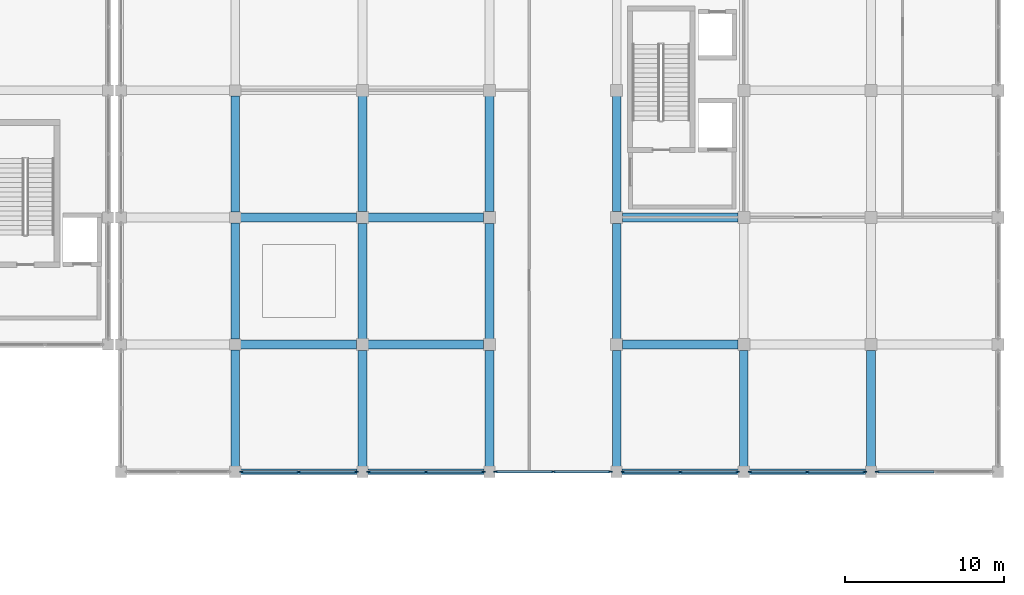
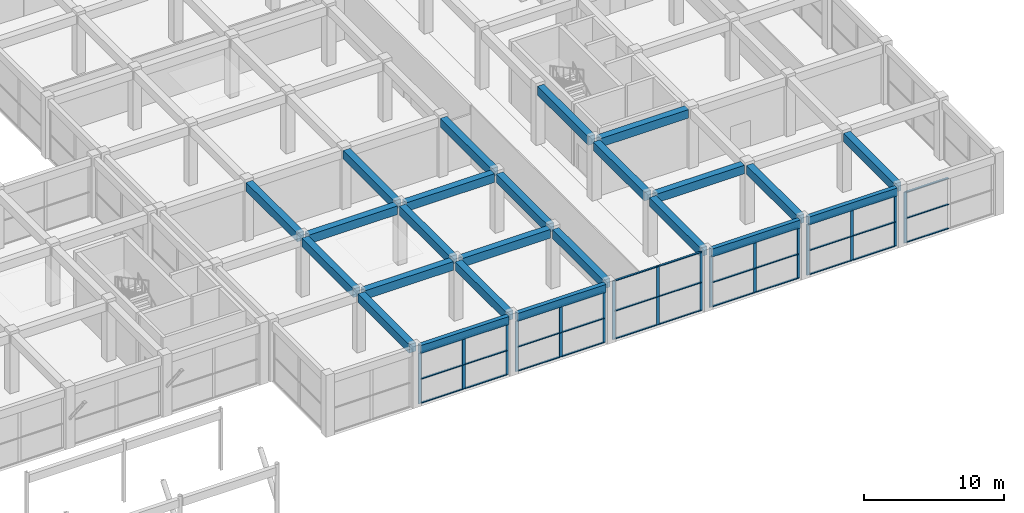
# One storey, part 33 of 69: 49 members, 24 beams, 6 elements without a shape of their own.
"""IFC4 building model written with IfcOpenShell, lengths in metres."""

import ifcopenshell
import ifcopenshell.guid

model = None  # the IFC model being written
_history = None  # IfcOwnerHistory: only IFC2X3 demands one
_inside = {}  # id of a spatial element -> (the spatial element, [elements in it])
_under = {}  # id of a project, library or spatial element -> (it, [spatial elements below it])
_declared = {}  # id of a project -> (the project, [libraries it declares])
_typed = {}  # id of a type object -> (the type object, [elements of that type])
_made_of = {}  # id of a material, layer set ... -> (it, [elements and type objects made of it])


def new_model(schema):
    """Start an empty IFC model of exactly this schema.

    Asked for "IFC4X3", IfcOpenShell would pick the latest addendum, in which some entities
    have other attributes; the version numbers below select the first issue.
    IFC2X3 requires an IfcOwnerHistory on every rooted entity: one is made here for all.
    """
    global model, _history
    if schema == "IFC4X3":
        model = ifcopenshell.file(schema_version=(4, 3, 0, 0))
    else:
        model = ifcopenshell.file(schema=schema)
    _inside.clear()
    _under.clear()
    _declared.clear()
    _typed.clear()
    _made_of.clear()
    _history = None
    if model.schema == "IFC2X3":
        org = make("IfcOrganization", Name="unknown")
        user = make(
            "IfcPersonAndOrganization",
            ThePerson=make("IfcPerson", FamilyName="unknown"),
            TheOrganization=org,
        )
        app = make(
            "IfcApplication",
            ApplicationDeveloper=org,
            Version="unknown",
            ApplicationFullName="unknown",
            ApplicationIdentifier="unknown",
        )
        _history = make(
            "IfcOwnerHistory",
            OwningUser=user,
            OwningApplication=app,
            ChangeAction="ADDED",
            CreationDate=0,
        )
    return model


def make(cls, **values):
    """One entity of the class cls with the attributes given. An attribute that is None is left unset."""
    return model.create_entity(
        cls, **{name: value for name, value in values.items() if value is not None}
    )


def rooted(cls, **values):
    """An entity with a GlobalId (a new one), such as an element, a storey or a relation."""
    return make(cls, GlobalId=ifcopenshell.guid.new(), OwnerHistory=_history, **values)


def si_unit(unit_type, name, prefix=None):
    """IfcSIUnit, for example si_unit("LENGTHUNIT", "METRE", prefix="MILLI")."""
    return make("IfcSIUnit", UnitType=unit_type, Prefix=prefix, Name=name)


def assignment(units):
    """IfcUnitAssignment: the units of a project."""
    return None if units is None else make("IfcUnitAssignment", Units=units)


def point(xyz):
    """IfcCartesianPoint."""
    return None if xyz is None else make("IfcCartesianPoint", Coordinates=xyz)


def direction(xyz):
    """IfcDirection."""
    return None if xyz is None else make("IfcDirection", DirectionRatios=xyz)


def frame(location, z_axis=None, x_axis=None):
    """IfcAxis2Placement3D, a coordinate frame: its origin and axes. An axis left out is left unset."""
    return make(
        "IfcAxis2Placement3D",
        Location=point(location),
        Axis=direction(z_axis),
        RefDirection=direction(x_axis),
    )


def frame_2d(location, x_axis=None):
    """IfcAxis2Placement2D, a coordinate frame in the plane: its origin and x axis."""
    return make(
        "IfcAxis2Placement2D", Location=point(location), RefDirection=direction(x_axis)
    )


def origin():
    """The frame at (0, 0, 0) with its axes left unset."""
    return frame((0.0, 0.0, 0.0))


def origin_2d():
    """The frame at (0, 0) in the plane with its x axis left unset."""
    return frame_2d((0.0, 0.0))


def place(relative_to, where):
    """IfcLocalPlacement: puts the frame where relative to a parent placement (None: the world)."""
    return make(
        "IfcLocalPlacement", PlacementRelTo=relative_to, RelativePlacement=where
    )


def context(
    kind, dimensions, precision=None, world=None, true_north=None, identifier=None
):
    """IfcGeometricRepresentationContext, for example the 3D "Model" context."""
    return make(
        "IfcGeometricRepresentationContext",
        ContextIdentifier=identifier,
        ContextType=kind,
        CoordinateSpaceDimension=dimensions,
        Precision=precision,
        WorldCoordinateSystem=world,
        TrueNorth=true_north,
    )


def subcontext(parent, identifier, kind, view, scale=None):
    """IfcGeometricRepresentationSubContext, for example "Body" below "Model"."""
    return make(
        "IfcGeometricRepresentationSubContext",
        ContextIdentifier=identifier,
        ContextType=kind,
        ParentContext=parent,
        TargetScale=scale,
        TargetView=view,
    )


def project(units=None, contexts=None):
    """IfcProject with its units and contexts."""
    return rooted(
        "IfcProject",
        Name="project",
        RepresentationContexts=contexts,
        UnitsInContext=assignment(units),
    )


def spatial(cls, under=None, at=None, **own):
    """A site, building, storey or space (cls), placed at a placement, below another one or the project."""
    s = rooted(cls, ObjectPlacement=at, **own)
    if under is not None:
        _under.setdefault(under.id(), (under, []))[1].append(s)
    return s


def profile(cls, at=None, kind="AREA", **sizes):
    """A parametric profile (cls). Its sizes go by their IFC names, for example OverallWidth=200.0."""
    return make(cls, ProfileType=kind, Position=at, **sizes)


def rectangle(**sizes):
    """IfcRectangleProfileDef."""
    return profile("IfcRectangleProfileDef", **sizes)


def extrude(swept, where, along, depth):
    """IfcExtrudedAreaSolid: the profile swept, set in the frame where, extruded along a direction by depth."""
    return make(
        "IfcExtrudedAreaSolid",
        SweptArea=swept,
        Position=where,
        ExtrudedDirection=direction(along),
        Depth=depth,
    )


def shape(context_of_items, identifier, shape_type, items):
    """IfcShapeRepresentation: the items that make up one representation, for example the "Body"."""
    return make(
        "IfcShapeRepresentation",
        ContextOfItems=context_of_items,
        RepresentationIdentifier=identifier,
        RepresentationType=shape_type,
        Items=items,
    )


def material(Name=None, Category=None):
    """IfcMaterial."""
    return make("IfcMaterial", Name=Name, Category=Category)


def material_profile(
    of_material, cross_section, Name=None, Category=None, Priority=None
):
    """IfcMaterialProfile: a cross section and its material."""
    return make(
        "IfcMaterialProfile",
        Name=Name,
        Material=of_material,
        Profile=cross_section,
        Priority=Priority,
        Category=Category,
    )


def profile_set(profiles, Name=None, composite=None):
    """IfcMaterialProfileSet."""
    return make(
        "IfcMaterialProfileSet",
        Name=Name,
        MaterialProfiles=profiles,
        CompositeProfile=composite,
    )


def made_of(thing, what):
    """Note that an element or type object is made of a material, layer set ...; save() writes the relation."""
    if what is not None:
        _made_of.setdefault(what.id(), (what, []))[1].append(thing)
    return thing


def type_object(cls, material=None, **own):
    """A type object (cls), such as IfcWallType, which elements share."""
    return made_of(rooted(cls, **own), material)


def element(
    cls,
    number,
    at=None,
    inside=None,
    cuts=None,
    type_object=None,
    material=None,
    context=None,
    identifier="Body",
    shape_type=None,
    held_by="IfcProductDefinitionShape",
    body=None,
    shapes=None,
    **own,
):
    """One element of the class cls, such as IfcWall. Its Tag is "e" and its number.

    at: its placement. inside: the storey or other place that contains it. cuts: it is an
    opening in that element (IfcRelVoidsElement). A single representation is given by context,
    identifier, shape_type and body (its items); several are given by shapes. held_by: the class
    of the entity that holds the representations. save() writes the other relations.
    """
    e = rooted(cls, Tag="e%d" % number, ObjectPlacement=at, **own)
    if body is not None:
        shapes = [shape(context, identifier, shape_type, body)]
    if shapes is not None:
        e.Representation = make(held_by, Representations=shapes)
    if inside is not None:
        _inside.setdefault(inside.id(), (inside, []))[1].append(e)
    if cuts is not None:
        rooted(
            "IfcRelVoidsElement", RelatingBuildingElement=cuts, RelatedOpeningElement=e
        )
    if type_object is not None:
        _typed.setdefault(type_object.id(), (type_object, []))[1].append(e)
    return made_of(e, material)


def aggregate(whole, parts):
    """IfcRelAggregates: a whole, such as a stair, and the parts it consists of."""
    return rooted("IfcRelAggregates", RelatingObject=whole, RelatedObjects=parts)


def save(model, path):
    """Write the relations noted so far, then the file.

    IfcRelAggregates (storeys below a building ...), IfcRelContainedInSpatialStructure (elements
    in a storey), IfcRelDefinesByType, IfcRelAssociatesMaterial and IfcRelDeclares: one each for
    every whole, place, type object, material and project.
    """
    for whole, parts in _under.values():
        aggregate(whole, parts)
    for where, things in _inside.values():
        rooted(
            "IfcRelContainedInSpatialStructure",
            RelatedElements=things,
            RelatingStructure=where,
        )
    for kind, things in _typed.values():
        rooted("IfcRelDefinesByType", RelatedObjects=things, RelatingType=kind)
    for what, things in _made_of.values():
        rooted("IfcRelAssociatesMaterial", RelatedObjects=things, RelatingMaterial=what)
    for by, libraries in _declared.values():
        rooted("IfcRelDeclares", RelatingContext=by, RelatedDefinitions=libraries)
    model.write(path)


model = new_model("IFC4")

# Units and contexts
model_context = context("Model", 3, precision=1e-05, world=origin(), true_north=direction((0.0, 1.0)))
body_context = subcontext(model_context, "Body", "Model", "MODEL_VIEW")
ifc_project = project(units=[si_unit("LENGTHUNIT", "METRE"), si_unit("AREAUNIT", "SQUARE_METRE"), si_unit("VOLUMEUNIT", "CUBIC_METRE"), si_unit("PLANEANGLEUNIT", "RADIAN"), si_unit("MASSUNIT", "GRAM", prefix="KILO")], contexts=[model_context])

# Site, building, storey
site_placement = place(None, origin())
site = spatial("IfcSite", under=ifc_project, at=site_placement, CompositionType="ELEMENT")
building_placement = place(site_placement, origin())
building = spatial("IfcBuilding", under=site, at=building_placement, Name="Kenh Van Central Station", CompositionType="ELEMENT")
storey_placement = place(building_placement, frame((0.0, 0.0, 5.39990234375)))
storey = spatial("IfcBuildingStorey", under=building, at=storey_placement, Name="L01", CompositionType="ELEMENT", Elevation=5.39990234375)

# Beams
ifc_material_1 = material(Name="Concrete C35/45", Category="concrete")
ifc_material_profile_1 = material_profile(ifc_material_1, rectangle(XDim=0.550048828125, YDim=0.75, at=origin_2d()), Name="RC 550x750")
ifc_profile_set_1 = profile_set([ifc_material_profile_1], Name="Concrete C35/45")
beam_type_1 = type_object("IfcBeamType", Name="BM-RC-550x750", PredefinedType="BEAM", material=ifc_profile_set_1)
beam_1_placement = place(storey_placement, frame((128.340087890625, 16.0, 4.76513671875), z_axis=(1.0, 0.0, 0.0), x_axis=(0.0, 1.0, 0.0)))
element("IfcBeam", 1, at=beam_1_placement, inside=storey, type_object=beam_type_1, Name="L01 beam 0651", PredefinedType="BEAM", context=body_context, shape_type="SweptSolid", body=[
    extrude(rectangle(XDim=0.550048828125, YDim=0.75, at=origin_2d()), origin(), (0.0, 0.0, 1.0), 7.294921875),
])
for number, where, z_axis, x_axis, name in (
    (2, (136.364990234375, 16.0, 4.76513671875), (1.0, 0.0, 0.0), (0.0, 1.0, 0.0), "L01 beam 0652"),
    (3, (152.364990234375, 16.0, 4.76513671875), (1.0, 0.0, 0.0), (0.0, 1.0, 0.0), "L01 beam 0653"),
):
    element("IfcBeam", number, at=place(storey_placement, frame(where, z_axis=z_axis, x_axis=x_axis)), inside=storey, type_object=beam_type_1, Name=name, PredefinedType="BEAM", context=body_context, shape_type="SweptSolid", body=[
        extrude(rectangle(XDim=0.550048828125, YDim=0.75, at=origin_2d()), origin(), (0.0, 0.0, 1.0), 7.27001953125),
    ])
beam_2_placement = place(storey_placement, frame((128.340087890625, 24.0, 4.76513671875), z_axis=(1.0, 0.0, 0.0), x_axis=(0.0, 1.0, 0.0)))
element("IfcBeam", 4, at=beam_2_placement, inside=storey, type_object=beam_type_1, Name="L01 beam 0666", PredefinedType="BEAM", context=body_context, shape_type="SweptSolid", body=[
    extrude(rectangle(XDim=0.550048828125, YDim=0.75, at=origin_2d()), origin(), (0.0, 0.0, 1.0), 7.294921875),
])
for number, where, z_axis, x_axis, name in (
    (5, (136.364990234375, 24.0, 4.76513671875), (1.0, 0.0, 0.0), (0.0, 1.0, 0.0), "L01 beam 0667"),
    (6, (152.364990234375, 24.0, 4.76513671875), (1.0, 0.0, 0.0), (0.0, 1.0, 0.0), "L01 beam 0668"),
):
    element("IfcBeam", number, at=place(storey_placement, frame(where, z_axis=z_axis, x_axis=x_axis)), inside=storey, type_object=beam_type_1, Name=name, PredefinedType="BEAM", context=body_context, shape_type="SweptSolid", body=[
        extrude(rectangle(XDim=0.550048828125, YDim=0.75, at=origin_2d()), origin(), (0.0, 0.0, 1.0), 7.27001953125),
    ])
for number, where, z_axis, x_axis, name in (
    (7, (128.0, 8.340087890625, 4.76513671875), (0.0, 1.0, 0.0), (-1.0, 0.0, 0.0), "L01 beam 0848"),
    (8, (128.0, 16.340087890625, 4.76513671875), (0.0, 1.0, 0.0), (-1.0, 0.0, 0.0), "L01 beam 0849"),
    (9, (128.0, 24.340087890625, 4.76513671875), (0.0, 1.0, 0.0), (-1.0, 0.0, 0.0), "L01 beam 0850"),
):
    element("IfcBeam", number, at=place(storey_placement, frame(where, z_axis=z_axis, x_axis=x_axis)), inside=storey, type_object=beam_type_1, Name=name, PredefinedType="BEAM", context=body_context, shape_type="SweptSolid", body=[
        extrude(rectangle(XDim=0.550048828125, YDim=0.75, at=origin_2d()), origin(), (0.0, 0.0, 1.0), 7.31982421875),
    ])
beam_3_placement = place(storey_placement, frame((136.0, 8.340087890625, 4.76513671875), z_axis=(0.0, 1.0, 0.0), x_axis=(-1.0, 0.0, 0.0)))
element("IfcBeam", 10, at=beam_3_placement, inside=storey, type_object=beam_type_1, Name="L01 beam 0855", PredefinedType="BEAM", context=body_context, shape_type="SweptSolid", body=[
    extrude(rectangle(XDim=0.550048828125, YDim=0.75, at=origin_2d()), origin(), (0.0, 0.0, 1.0), 7.294921875),
])
for number, where, z_axis, x_axis, name in (
    (11, (136.0, 16.364990234375, 4.76513671875), (0.0, 1.0, 0.0), (-1.0, 0.0, 0.0), "L01 beam 0856"),
    (12, (136.0, 24.364990234375, 4.76513671875), (0.0, 1.0, 0.0), (-1.0, 0.0, 0.0), "L01 beam 0857"),
):
    element("IfcBeam", number, at=place(storey_placement, frame(where, z_axis=z_axis, x_axis=x_axis)), inside=storey, type_object=beam_type_1, Name=name, PredefinedType="BEAM", context=body_context, shape_type="SweptSolid", body=[
        extrude(rectangle(XDim=0.550048828125, YDim=0.75, at=origin_2d()), origin(), (0.0, 0.0, 1.0), 7.27001953125),
    ])
beam_4_placement = place(storey_placement, frame((144.0, 8.340087890625, 4.76513671875), z_axis=(0.0, 1.0, 0.0), x_axis=(-1.0, 0.0, 0.0)))
element("IfcBeam", 13, at=beam_4_placement, inside=storey, type_object=beam_type_1, Name="L01 beam 0862", PredefinedType="BEAM", context=body_context, shape_type="SweptSolid", body=[
    extrude(rectangle(XDim=0.550048828125, YDim=0.75, at=origin_2d()), origin(), (0.0, 0.0, 1.0), 7.294921875),
])
for number, where, z_axis, x_axis, name in (
    (14, (144.0, 16.364990234375, 4.76513671875), (0.0, 1.0, 0.0), (-1.0, 0.0, 0.0), "L01 beam 0863"),
    (15, (144.0, 24.364990234375, 4.76513671875), (0.0, 1.0, 0.0), (-1.0, 0.0, 0.0), "L01 beam 0864"),
):
    element("IfcBeam", number, at=place(storey_placement, frame(where, z_axis=z_axis, x_axis=x_axis)), inside=storey, type_object=beam_type_1, Name=name, PredefinedType="BEAM", context=body_context, shape_type="SweptSolid", body=[
        extrude(rectangle(XDim=0.550048828125, YDim=0.75, at=origin_2d()), origin(), (0.0, 0.0, 1.0), 7.27001953125),
    ])
beam_5_placement = place(storey_placement, frame((152.0, 8.340087890625, 4.76513671875), z_axis=(0.0, 1.0, 0.0), x_axis=(-1.0, 0.0, 0.0)))
element("IfcBeam", 16, at=beam_5_placement, inside=storey, type_object=beam_type_1, Name="L01 beam 0872", PredefinedType="BEAM", context=body_context, shape_type="SweptSolid", body=[
    extrude(rectangle(XDim=0.550048828125, YDim=0.75, at=origin_2d()), origin(), (0.0, 0.0, 1.0), 7.294921875),
])
for number, where, z_axis, x_axis, name in (
    (17, (152.0, 16.364990234375, 4.76513671875), (0.0, 1.0, 0.0), (-1.0, 0.0, 0.0), "L01 beam 0873"),
    (18, (152.0, 24.364990234375, 4.76513671875), (0.0, 1.0, 0.0), (-1.0, 0.0, 0.0), "L01 beam 0874"),
):
    element("IfcBeam", number, at=place(storey_placement, frame(where, z_axis=z_axis, x_axis=x_axis)), inside=storey, type_object=beam_type_1, Name=name, PredefinedType="BEAM", context=body_context, shape_type="SweptSolid", body=[
        extrude(rectangle(XDim=0.550048828125, YDim=0.75, at=origin_2d()), origin(), (0.0, 0.0, 1.0), 7.27001953125),
    ])
for number, where, z_axis, x_axis, name in (
    (19, (160.0, 8.340087890625, 4.76513671875), (0.0, 1.0, 0.0), (-1.0, 0.0, 0.0), "L01 beam 0882"),
    (20, (168.0, 8.340087890625, 4.76513671875), (0.0, 1.0, 0.0), (-1.0, 0.0, 0.0), "L01 beam 0892"),
):
    element("IfcBeam", number, at=place(storey_placement, frame(where, z_axis=z_axis, x_axis=x_axis)), inside=storey, type_object=beam_type_1, Name=name, PredefinedType="BEAM", context=body_context, shape_type="SweptSolid", body=[
        extrude(rectangle(XDim=0.550048828125, YDim=0.75, at=origin_2d()), origin(), (0.0, 0.0, 1.0), 7.294921875),
    ])

# Curtain wall, members
ifc_material_2 = material(Name="Champagne anodised aluminium", Category="aluminium")
curtain_wall_type = type_object("IfcCurtainWallType", Name="CW-OPER-A", PredefinedType="NOTDEFINED", material=ifc_material_2)
curtain_wall_1_placement = place(storey_placement, origin())
curtain_wall_1 = element("IfcCurtainWall", 21, at=curtain_wall_1_placement, inside=storey, type_object=curtain_wall_type, Name="L01 curtain wall 131", PredefinedType="NOTDEFINED")
ifc_material_profile_2 = material_profile(ifc_material_2, rectangle(XDim=0.087890625, YDim=0.239990234375, at=origin_2d()), Name="AL 88x240")
ifc_profile_set_2 = profile_set([ifc_material_profile_2], Name="Champagne anodised aluminium")
member_type_1 = type_object("IfcMemberType", Name="CWM-60x140", PredefinedType="MULLION", material=ifc_profile_set_2)
member_1_placement = place(storey_placement, frame((128.39404296875, 8.0, 0.0), z_axis=(0.0, 0.0, 1.0), x_axis=(0.0, 1.0, 0.0)))
member_1 = element("IfcMember", 22, at=member_1_placement, type_object=member_type_1, Name="CW-07 mullion 1", PredefinedType="MULLION", context=body_context, shape_type="SweptSolid", body=[
    extrude(rectangle(XDim=0.087890625, YDim=0.239990234375, at=origin_2d()), origin(), (0.0, 0.0, 1.0), 4.440185546875),
])
member_2_placement = place(storey_placement, frame((132.0, 8.0, 0.0), z_axis=(0.0, 0.0, 1.0), x_axis=(0.0, 1.0, 0.0)))
member_2 = element("IfcMember", 23, at=member_2_placement, type_object=member_type_1, Name="CW-07 mullion 2", PredefinedType="MULLION", context=body_context, shape_type="SweptSolid", body=[
    extrude(rectangle(XDim=0.087890625, YDim=0.239990234375, at=origin_2d()), origin(), (0.0, 0.0, 1.0), 4.440185546875),
])
member_3_placement = place(storey_placement, frame((135.60595703125, 8.0, 0.0), z_axis=(0.0, 0.0, 1.0), x_axis=(0.0, 1.0, 0.0)))
member_3 = element("IfcMember", 24, at=member_3_placement, type_object=member_type_1, Name="CW-07 mullion 3", PredefinedType="MULLION", context=body_context, shape_type="SweptSolid", body=[
    extrude(rectangle(XDim=0.087890625, YDim=0.239990234375, at=origin_2d()), origin(), (0.0, 0.0, 1.0), 4.440185546875),
])

curtain_wall_2_placement = place(storey_placement, origin())
curtain_wall_2 = element("IfcCurtainWall", 25, at=curtain_wall_2_placement, inside=storey, type_object=curtain_wall_type, Name="L01 curtain wall 132", PredefinedType="NOTDEFINED")
member_4_placement = place(storey_placement, frame((136.39404296875, 8.0, 0.0), z_axis=(0.0, 0.0, 1.0), x_axis=(0.0, 1.0, 0.0)))
member_4 = element("IfcMember", 26, at=member_4_placement, type_object=member_type_1, Name="CW-07 mullion 1", PredefinedType="MULLION", context=body_context, shape_type="SweptSolid", body=[
    extrude(rectangle(XDim=0.087890625, YDim=0.239990234375, at=origin_2d()), origin(), (0.0, 0.0, 1.0), 4.440185546875),
])
member_5_placement = place(storey_placement, frame((140.0, 8.0, 0.0), z_axis=(0.0, 0.0, 1.0), x_axis=(0.0, 1.0, 0.0)))
member_5 = element("IfcMember", 27, at=member_5_placement, type_object=member_type_1, Name="CW-07 mullion 2", PredefinedType="MULLION", context=body_context, shape_type="SweptSolid", body=[
    extrude(rectangle(XDim=0.087890625, YDim=0.239990234375, at=origin_2d()), origin(), (0.0, 0.0, 1.0), 4.440185546875),
])
member_6_placement = place(storey_placement, frame((143.60595703125, 8.0, 0.0), z_axis=(0.0, 0.0, 1.0), x_axis=(0.0, 1.0, 0.0)))
member_6 = element("IfcMember", 28, at=member_6_placement, type_object=member_type_1, Name="CW-07 mullion 3", PredefinedType="MULLION", context=body_context, shape_type="SweptSolid", body=[
    extrude(rectangle(XDim=0.087890625, YDim=0.239990234375, at=origin_2d()), origin(), (0.0, 0.0, 1.0), 4.440185546875),
])

curtain_wall_3_placement = place(storey_placement, origin())
curtain_wall_3 = element("IfcCurtainWall", 29, at=curtain_wall_3_placement, inside=storey, type_object=curtain_wall_type, Name="L01 curtain wall 133", PredefinedType="NOTDEFINED")
member_7_placement = place(storey_placement, frame((144.39404296875, 8.0, 0.0), z_axis=(0.0, 0.0, 1.0), x_axis=(0.0, 1.0, 0.0)))
member_7 = element("IfcMember", 30, at=member_7_placement, type_object=member_type_1, Name="CW-07 mullion 1", PredefinedType="MULLION", context=body_context, shape_type="SweptSolid", body=[
    extrude(rectangle(XDim=0.087890625, YDim=0.239990234375, at=origin_2d()), origin(), (0.0, 0.0, 1.0), 5.1201171875),
])
member_8_placement = place(storey_placement, frame((148.0, 8.0, 0.0), z_axis=(0.0, 0.0, 1.0), x_axis=(0.0, 1.0, 0.0)))
member_8 = element("IfcMember", 31, at=member_8_placement, type_object=member_type_1, Name="CW-07 mullion 2", PredefinedType="MULLION", context=body_context, shape_type="SweptSolid", body=[
    extrude(rectangle(XDim=0.087890625, YDim=0.239990234375, at=origin_2d()), origin(), (0.0, 0.0, 1.0), 5.1201171875),
])
member_9_placement = place(storey_placement, frame((151.60595703125, 8.0, 0.0), z_axis=(0.0, 0.0, 1.0), x_axis=(0.0, 1.0, 0.0)))
member_9 = element("IfcMember", 32, at=member_9_placement, type_object=member_type_1, Name="CW-07 mullion 3", PredefinedType="MULLION", context=body_context, shape_type="SweptSolid", body=[
    extrude(rectangle(XDim=0.087890625, YDim=0.239990234375, at=origin_2d()), origin(), (0.0, 0.0, 1.0), 5.1201171875),
])

curtain_wall_4_placement = place(storey_placement, origin())
curtain_wall_4 = element("IfcCurtainWall", 33, at=curtain_wall_4_placement, inside=storey, type_object=curtain_wall_type, Name="L01 curtain wall 134", PredefinedType="NOTDEFINED")
member_10_placement = place(storey_placement, frame((152.39404296875, 8.0, 0.0), z_axis=(0.0, 0.0, 1.0), x_axis=(0.0, 1.0, 0.0)))
member_10 = element("IfcMember", 34, at=member_10_placement, type_object=member_type_1, Name="CW-07 mullion 1", PredefinedType="MULLION", context=body_context, shape_type="SweptSolid", body=[
    extrude(rectangle(XDim=0.087890625, YDim=0.239990234375, at=origin_2d()), origin(), (0.0, 0.0, 1.0), 4.440185546875),
])
member_11_placement = place(storey_placement, frame((156.0, 8.0, 0.0), z_axis=(0.0, 0.0, 1.0), x_axis=(0.0, 1.0, 0.0)))
member_11 = element("IfcMember", 35, at=member_11_placement, type_object=member_type_1, Name="CW-07 mullion 2", PredefinedType="MULLION", context=body_context, shape_type="SweptSolid", body=[
    extrude(rectangle(XDim=0.087890625, YDim=0.239990234375, at=origin_2d()), origin(), (0.0, 0.0, 1.0), 4.440185546875),
])
member_12_placement = place(storey_placement, frame((159.60595703125, 8.0, 0.0), z_axis=(0.0, 0.0, 1.0), x_axis=(0.0, 1.0, 0.0)))
member_12 = element("IfcMember", 36, at=member_12_placement, type_object=member_type_1, Name="CW-07 mullion 3", PredefinedType="MULLION", context=body_context, shape_type="SweptSolid", body=[
    extrude(rectangle(XDim=0.087890625, YDim=0.239990234375, at=origin_2d()), origin(), (0.0, 0.0, 1.0), 4.440185546875),
])

curtain_wall_5_placement = place(storey_placement, origin())
curtain_wall_5 = element("IfcCurtainWall", 37, at=curtain_wall_5_placement, inside=storey, type_object=curtain_wall_type, Name="L01 curtain wall 135", PredefinedType="NOTDEFINED")
member_13_placement = place(storey_placement, frame((160.39404296875, 8.0, 0.0), z_axis=(0.0, 0.0, 1.0), x_axis=(0.0, 1.0, 0.0)))
member_13 = element("IfcMember", 38, at=member_13_placement, type_object=member_type_1, Name="CW-07 mullion 1", PredefinedType="MULLION", context=body_context, shape_type="SweptSolid", body=[
    extrude(rectangle(XDim=0.087890625, YDim=0.239990234375, at=origin_2d()), origin(), (0.0, 0.0, 1.0), 4.440185546875),
])
member_14_placement = place(storey_placement, frame((164.0, 8.0, 0.0), z_axis=(0.0, 0.0, 1.0), x_axis=(0.0, 1.0, 0.0)))
member_14 = element("IfcMember", 39, at=member_14_placement, type_object=member_type_1, Name="CW-07 mullion 2", PredefinedType="MULLION", context=body_context, shape_type="SweptSolid", body=[
    extrude(rectangle(XDim=0.087890625, YDim=0.239990234375, at=origin_2d()), origin(), (0.0, 0.0, 1.0), 4.440185546875),
])
member_15_placement = place(storey_placement, frame((167.60595703125, 8.0, 0.0), z_axis=(0.0, 0.0, 1.0), x_axis=(0.0, 1.0, 0.0)))
member_15 = element("IfcMember", 40, at=member_15_placement, type_object=member_type_1, Name="CW-07 mullion 3", PredefinedType="MULLION", context=body_context, shape_type="SweptSolid", body=[
    extrude(rectangle(XDim=0.087890625, YDim=0.239990234375, at=origin_2d()), origin(), (0.0, 0.0, 1.0), 4.440185546875),
])

# Curtain wall, member
curtain_wall_6_placement = place(storey_placement, origin())
curtain_wall_6 = element("IfcCurtainWall", 41, at=curtain_wall_6_placement, inside=storey, type_object=curtain_wall_type, Name="L01 curtain wall 136", PredefinedType="NOTDEFINED")
member_16_placement = place(storey_placement, frame((168.39404296875, 8.0, 0.0), z_axis=(0.0, 0.0, 1.0), x_axis=(0.0, 1.0, 0.0)))
member_16 = element("IfcMember", 42, at=member_16_placement, type_object=member_type_1, Name="CW-07 mullion 1", PredefinedType="MULLION", context=body_context, shape_type="SweptSolid", body=[
    extrude(rectangle(XDim=0.087890625, YDim=0.239990234375, at=origin_2d()), origin(), (0.0, 0.0, 1.0), 4.440185546875),
])

# Member
ifc_material_profile_3 = material_profile(ifc_material_2, rectangle(XDim=0.155029296875, YDim=0.072021484375, at=origin_2d()), Name="AL 155x72")
ifc_profile_set_3 = profile_set([ifc_material_profile_3], Name="Champagne anodised aluminium")
member_type_2 = type_object("IfcMemberType", Name="CWT-120x60", PredefinedType="USERDEFINED", material=ifc_profile_set_3)
member_17_placement = place(storey_placement, frame((128.43798828125, 8.0, 0.0361328125), z_axis=(1.0, 0.0, 0.0), x_axis=(0.0, 1.0, 0.0)))
member_17 = element("IfcMember", 43, at=member_17_placement, type_object=member_type_2, Name="CW-07 transom 1.1", ObjectType="TRANSOM", PredefinedType="USERDEFINED", context=body_context, shape_type="SweptSolid", body=[
    extrude(rectangle(XDim=0.155029296875, YDim=0.072021484375, at=origin_2d()), origin(), (0.0, 0.0, 1.0), 3.51806640625),
])

member_18_placement = place(storey_placement, frame((128.43798828125, 8.0, 2.13134765625), z_axis=(1.0, 0.0, 0.0), x_axis=(0.0, 1.0, 0.0)))
member_18 = element("IfcMember", 44, at=member_18_placement, type_object=member_type_2, Name="CW-07 transom 1.2", ObjectType="TRANSOM", PredefinedType="USERDEFINED", context=body_context, shape_type="SweptSolid", body=[
    extrude(rectangle(XDim=0.155029296875, YDim=0.072021484375, at=origin_2d()), origin(), (0.0, 0.0, 1.0), 3.51806640625),
])

member_19_placement = place(storey_placement, frame((128.43798828125, 8.0, 4.404052734375), z_axis=(1.0, 0.0, 0.0), x_axis=(0.0, 1.0, 0.0)))
member_19 = element("IfcMember", 45, at=member_19_placement, type_object=member_type_2, Name="CW-07 transom 1.3", ObjectType="TRANSOM", PredefinedType="USERDEFINED", context=body_context, shape_type="SweptSolid", body=[
    extrude(rectangle(XDim=0.155029296875, YDim=0.072021484375, at=origin_2d()), origin(), (0.0, 0.0, 1.0), 3.51806640625),
])

member_20_placement = place(storey_placement, frame((132.0439453125, 8.0, 0.0361328125), z_axis=(1.0, 0.0, 0.0), x_axis=(0.0, 1.0, 0.0)))
member_20 = element("IfcMember", 46, at=member_20_placement, type_object=member_type_2, Name="CW-07 transom 2.1", ObjectType="TRANSOM", PredefinedType="USERDEFINED", context=body_context, shape_type="SweptSolid", body=[
    extrude(rectangle(XDim=0.155029296875, YDim=0.072021484375, at=origin_2d()), origin(), (0.0, 0.0, 1.0), 3.51806640625),
])

member_21_placement = place(storey_placement, frame((132.0439453125, 8.0, 2.13134765625), z_axis=(1.0, 0.0, 0.0), x_axis=(0.0, 1.0, 0.0)))
member_21 = element("IfcMember", 47, at=member_21_placement, type_object=member_type_2, Name="CW-07 transom 2.2", ObjectType="TRANSOM", PredefinedType="USERDEFINED", context=body_context, shape_type="SweptSolid", body=[
    extrude(rectangle(XDim=0.155029296875, YDim=0.072021484375, at=origin_2d()), origin(), (0.0, 0.0, 1.0), 3.51806640625),
])

member_22_placement = place(storey_placement, frame((132.0439453125, 8.0, 4.404052734375), z_axis=(1.0, 0.0, 0.0), x_axis=(0.0, 1.0, 0.0)))
member_22 = element("IfcMember", 48, at=member_22_placement, type_object=member_type_2, Name="CW-07 transom 2.3", ObjectType="TRANSOM", PredefinedType="USERDEFINED", context=body_context, shape_type="SweptSolid", body=[
    extrude(rectangle(XDim=0.155029296875, YDim=0.072021484375, at=origin_2d()), origin(), (0.0, 0.0, 1.0), 3.51806640625),
])

aggregate(curtain_wall_1, [member_1, member_2, member_3, member_17, member_18, member_19, member_20, member_21, member_22])

member_23_placement = place(storey_placement, frame((136.43798828125, 8.0, 0.0361328125), z_axis=(1.0, 0.0, 0.0), x_axis=(0.0, 1.0, 0.0)))
member_23 = element("IfcMember", 49, at=member_23_placement, type_object=member_type_2, Name="CW-07 transom 1.1", ObjectType="TRANSOM", PredefinedType="USERDEFINED", context=body_context, shape_type="SweptSolid", body=[
    extrude(rectangle(XDim=0.155029296875, YDim=0.072021484375, at=origin_2d()), origin(), (0.0, 0.0, 1.0), 3.51806640625),
])

member_24_placement = place(storey_placement, frame((136.43798828125, 8.0, 2.13134765625), z_axis=(1.0, 0.0, 0.0), x_axis=(0.0, 1.0, 0.0)))
member_24 = element("IfcMember", 50, at=member_24_placement, type_object=member_type_2, Name="CW-07 transom 1.2", ObjectType="TRANSOM", PredefinedType="USERDEFINED", context=body_context, shape_type="SweptSolid", body=[
    extrude(rectangle(XDim=0.155029296875, YDim=0.072021484375, at=origin_2d()), origin(), (0.0, 0.0, 1.0), 3.51806640625),
])

member_25_placement = place(storey_placement, frame((136.43798828125, 8.0, 4.404052734375), z_axis=(1.0, 0.0, 0.0), x_axis=(0.0, 1.0, 0.0)))
member_25 = element("IfcMember", 51, at=member_25_placement, type_object=member_type_2, Name="CW-07 transom 1.3", ObjectType="TRANSOM", PredefinedType="USERDEFINED", context=body_context, shape_type="SweptSolid", body=[
    extrude(rectangle(XDim=0.155029296875, YDim=0.072021484375, at=origin_2d()), origin(), (0.0, 0.0, 1.0), 3.51806640625),
])

member_26_placement = place(storey_placement, frame((140.0439453125, 8.0, 0.0361328125), z_axis=(1.0, 0.0, 0.0), x_axis=(0.0, 1.0, 0.0)))
member_26 = element("IfcMember", 52, at=member_26_placement, type_object=member_type_2, Name="CW-07 transom 2.1", ObjectType="TRANSOM", PredefinedType="USERDEFINED", context=body_context, shape_type="SweptSolid", body=[
    extrude(rectangle(XDim=0.155029296875, YDim=0.072021484375, at=origin_2d()), origin(), (0.0, 0.0, 1.0), 3.51806640625),
])

member_27_placement = place(storey_placement, frame((140.0439453125, 8.0, 2.13134765625), z_axis=(1.0, 0.0, 0.0), x_axis=(0.0, 1.0, 0.0)))
member_27 = element("IfcMember", 53, at=member_27_placement, type_object=member_type_2, Name="CW-07 transom 2.2", ObjectType="TRANSOM", PredefinedType="USERDEFINED", context=body_context, shape_type="SweptSolid", body=[
    extrude(rectangle(XDim=0.155029296875, YDim=0.072021484375, at=origin_2d()), origin(), (0.0, 0.0, 1.0), 3.51806640625),
])

member_28_placement = place(storey_placement, frame((140.0439453125, 8.0, 4.404052734375), z_axis=(1.0, 0.0, 0.0), x_axis=(0.0, 1.0, 0.0)))
member_28 = element("IfcMember", 54, at=member_28_placement, type_object=member_type_2, Name="CW-07 transom 2.3", ObjectType="TRANSOM", PredefinedType="USERDEFINED", context=body_context, shape_type="SweptSolid", body=[
    extrude(rectangle(XDim=0.155029296875, YDim=0.072021484375, at=origin_2d()), origin(), (0.0, 0.0, 1.0), 3.51806640625),
])

aggregate(curtain_wall_2, [member_4, member_5, member_6, member_23, member_24, member_25, member_26, member_27, member_28])

member_29_placement = place(storey_placement, frame((144.43798828125, 8.0, 0.0361328125), z_axis=(1.0, 0.0, 0.0), x_axis=(0.0, 1.0, 0.0)))
member_29 = element("IfcMember", 55, at=member_29_placement, type_object=member_type_2, Name="CW-07 transom 1.1", ObjectType="TRANSOM", PredefinedType="USERDEFINED", context=body_context, shape_type="SweptSolid", body=[
    extrude(rectangle(XDim=0.155029296875, YDim=0.072021484375, at=origin_2d()), origin(), (0.0, 0.0, 1.0), 3.51806640625),
])

member_30_placement = place(storey_placement, frame((144.43798828125, 8.0, 2.457763671875), z_axis=(1.0, 0.0, 0.0), x_axis=(0.0, 1.0, 0.0)))
member_30 = element("IfcMember", 56, at=member_30_placement, type_object=member_type_2, Name="CW-07 transom 1.2", ObjectType="TRANSOM", PredefinedType="USERDEFINED", context=body_context, shape_type="SweptSolid", body=[
    extrude(rectangle(XDim=0.155029296875, YDim=0.072021484375, at=origin_2d()), origin(), (0.0, 0.0, 1.0), 3.51806640625),
])

member_31_placement = place(storey_placement, frame((144.43798828125, 8.0, 5.083984375), z_axis=(1.0, 0.0, 0.0), x_axis=(0.0, 1.0, 0.0)))
member_31 = element("IfcMember", 57, at=member_31_placement, type_object=member_type_2, Name="CW-07 transom 1.3", ObjectType="TRANSOM", PredefinedType="USERDEFINED", context=body_context, shape_type="SweptSolid", body=[
    extrude(rectangle(XDim=0.155029296875, YDim=0.072021484375, at=origin_2d()), origin(), (0.0, 0.0, 1.0), 3.51806640625),
])

member_32_placement = place(storey_placement, frame((148.0439453125, 8.0, 0.0361328125), z_axis=(1.0, 0.0, 0.0), x_axis=(0.0, 1.0, 0.0)))
member_32 = element("IfcMember", 58, at=member_32_placement, type_object=member_type_2, Name="CW-07 transom 2.1", ObjectType="TRANSOM", PredefinedType="USERDEFINED", context=body_context, shape_type="SweptSolid", body=[
    extrude(rectangle(XDim=0.155029296875, YDim=0.072021484375, at=origin_2d()), origin(), (0.0, 0.0, 1.0), 3.51806640625),
])

member_33_placement = place(storey_placement, frame((148.0439453125, 8.0, 2.457763671875), z_axis=(1.0, 0.0, 0.0), x_axis=(0.0, 1.0, 0.0)))
member_33 = element("IfcMember", 59, at=member_33_placement, type_object=member_type_2, Name="CW-07 transom 2.2", ObjectType="TRANSOM", PredefinedType="USERDEFINED", context=body_context, shape_type="SweptSolid", body=[
    extrude(rectangle(XDim=0.155029296875, YDim=0.072021484375, at=origin_2d()), origin(), (0.0, 0.0, 1.0), 3.51806640625),
])

member_34_placement = place(storey_placement, frame((148.0439453125, 8.0, 5.083984375), z_axis=(1.0, 0.0, 0.0), x_axis=(0.0, 1.0, 0.0)))
member_34 = element("IfcMember", 60, at=member_34_placement, type_object=member_type_2, Name="CW-07 transom 2.3", ObjectType="TRANSOM", PredefinedType="USERDEFINED", context=body_context, shape_type="SweptSolid", body=[
    extrude(rectangle(XDim=0.155029296875, YDim=0.072021484375, at=origin_2d()), origin(), (0.0, 0.0, 1.0), 3.51806640625),
])

aggregate(curtain_wall_3, [member_7, member_8, member_9, member_29, member_30, member_31, member_32, member_33, member_34])

member_35_placement = place(storey_placement, frame((152.43798828125, 8.0, 0.0361328125), z_axis=(1.0, 0.0, 0.0), x_axis=(0.0, 1.0, 0.0)))
member_35 = element("IfcMember", 61, at=member_35_placement, type_object=member_type_2, Name="CW-07 transom 1.1", ObjectType="TRANSOM", PredefinedType="USERDEFINED", context=body_context, shape_type="SweptSolid", body=[
    extrude(rectangle(XDim=0.155029296875, YDim=0.072021484375, at=origin_2d()), origin(), (0.0, 0.0, 1.0), 3.51806640625),
])

member_36_placement = place(storey_placement, frame((152.43798828125, 8.0, 2.13134765625), z_axis=(1.0, 0.0, 0.0), x_axis=(0.0, 1.0, 0.0)))
member_36 = element("IfcMember", 62, at=member_36_placement, type_object=member_type_2, Name="CW-07 transom 1.2", ObjectType="TRANSOM", PredefinedType="USERDEFINED", context=body_context, shape_type="SweptSolid", body=[
    extrude(rectangle(XDim=0.155029296875, YDim=0.072021484375, at=origin_2d()), origin(), (0.0, 0.0, 1.0), 3.51806640625),
])

member_37_placement = place(storey_placement, frame((152.43798828125, 8.0, 4.404052734375), z_axis=(1.0, 0.0, 0.0), x_axis=(0.0, 1.0, 0.0)))
member_37 = element("IfcMember", 63, at=member_37_placement, type_object=member_type_2, Name="CW-07 transom 1.3", ObjectType="TRANSOM", PredefinedType="USERDEFINED", context=body_context, shape_type="SweptSolid", body=[
    extrude(rectangle(XDim=0.155029296875, YDim=0.072021484375, at=origin_2d()), origin(), (0.0, 0.0, 1.0), 3.51806640625),
])

member_38_placement = place(storey_placement, frame((156.0439453125, 8.0, 0.0361328125), z_axis=(1.0, 0.0, 0.0), x_axis=(0.0, 1.0, 0.0)))
member_38 = element("IfcMember", 64, at=member_38_placement, type_object=member_type_2, Name="CW-07 transom 2.1", ObjectType="TRANSOM", PredefinedType="USERDEFINED", context=body_context, shape_type="SweptSolid", body=[
    extrude(rectangle(XDim=0.155029296875, YDim=0.072021484375, at=origin_2d()), origin(), (0.0, 0.0, 1.0), 3.51806640625),
])

member_39_placement = place(storey_placement, frame((156.0439453125, 8.0, 2.13134765625), z_axis=(1.0, 0.0, 0.0), x_axis=(0.0, 1.0, 0.0)))
member_39 = element("IfcMember", 65, at=member_39_placement, type_object=member_type_2, Name="CW-07 transom 2.2", ObjectType="TRANSOM", PredefinedType="USERDEFINED", context=body_context, shape_type="SweptSolid", body=[
    extrude(rectangle(XDim=0.155029296875, YDim=0.072021484375, at=origin_2d()), origin(), (0.0, 0.0, 1.0), 3.51806640625),
])

member_40_placement = place(storey_placement, frame((156.0439453125, 8.0, 4.404052734375), z_axis=(1.0, 0.0, 0.0), x_axis=(0.0, 1.0, 0.0)))
member_40 = element("IfcMember", 66, at=member_40_placement, type_object=member_type_2, Name="CW-07 transom 2.3", ObjectType="TRANSOM", PredefinedType="USERDEFINED", context=body_context, shape_type="SweptSolid", body=[
    extrude(rectangle(XDim=0.155029296875, YDim=0.072021484375, at=origin_2d()), origin(), (0.0, 0.0, 1.0), 3.51806640625),
])

aggregate(curtain_wall_4, [member_10, member_11, member_12, member_35, member_36, member_37, member_38, member_39, member_40])

member_41_placement = place(storey_placement, frame((160.43798828125, 8.0, 0.0361328125), z_axis=(1.0, 0.0, 0.0), x_axis=(0.0, 1.0, 0.0)))
member_41 = element("IfcMember", 67, at=member_41_placement, type_object=member_type_2, Name="CW-07 transom 1.1", ObjectType="TRANSOM", PredefinedType="USERDEFINED", context=body_context, shape_type="SweptSolid", body=[
    extrude(rectangle(XDim=0.155029296875, YDim=0.072021484375, at=origin_2d()), origin(), (0.0, 0.0, 1.0), 3.51806640625),
])

member_42_placement = place(storey_placement, frame((160.43798828125, 8.0, 2.13134765625), z_axis=(1.0, 0.0, 0.0), x_axis=(0.0, 1.0, 0.0)))
member_42 = element("IfcMember", 68, at=member_42_placement, type_object=member_type_2, Name="CW-07 transom 1.2", ObjectType="TRANSOM", PredefinedType="USERDEFINED", context=body_context, shape_type="SweptSolid", body=[
    extrude(rectangle(XDim=0.155029296875, YDim=0.072021484375, at=origin_2d()), origin(), (0.0, 0.0, 1.0), 3.51806640625),
])

member_43_placement = place(storey_placement, frame((160.43798828125, 8.0, 4.404052734375), z_axis=(1.0, 0.0, 0.0), x_axis=(0.0, 1.0, 0.0)))
member_43 = element("IfcMember", 69, at=member_43_placement, type_object=member_type_2, Name="CW-07 transom 1.3", ObjectType="TRANSOM", PredefinedType="USERDEFINED", context=body_context, shape_type="SweptSolid", body=[
    extrude(rectangle(XDim=0.155029296875, YDim=0.072021484375, at=origin_2d()), origin(), (0.0, 0.0, 1.0), 3.51806640625),
])

member_44_placement = place(storey_placement, frame((164.0439453125, 8.0, 0.0361328125), z_axis=(1.0, 0.0, 0.0), x_axis=(0.0, 1.0, 0.0)))
member_44 = element("IfcMember", 70, at=member_44_placement, type_object=member_type_2, Name="CW-07 transom 2.1", ObjectType="TRANSOM", PredefinedType="USERDEFINED", context=body_context, shape_type="SweptSolid", body=[
    extrude(rectangle(XDim=0.155029296875, YDim=0.072021484375, at=origin_2d()), origin(), (0.0, 0.0, 1.0), 3.51806640625),
])

member_45_placement = place(storey_placement, frame((164.0439453125, 8.0, 2.13134765625), z_axis=(1.0, 0.0, 0.0), x_axis=(0.0, 1.0, 0.0)))
member_45 = element("IfcMember", 71, at=member_45_placement, type_object=member_type_2, Name="CW-07 transom 2.2", ObjectType="TRANSOM", PredefinedType="USERDEFINED", context=body_context, shape_type="SweptSolid", body=[
    extrude(rectangle(XDim=0.155029296875, YDim=0.072021484375, at=origin_2d()), origin(), (0.0, 0.0, 1.0), 3.51806640625),
])

member_46_placement = place(storey_placement, frame((164.0439453125, 8.0, 4.404052734375), z_axis=(1.0, 0.0, 0.0), x_axis=(0.0, 1.0, 0.0)))
member_46 = element("IfcMember", 72, at=member_46_placement, type_object=member_type_2, Name="CW-07 transom 2.3", ObjectType="TRANSOM", PredefinedType="USERDEFINED", context=body_context, shape_type="SweptSolid", body=[
    extrude(rectangle(XDim=0.155029296875, YDim=0.072021484375, at=origin_2d()), origin(), (0.0, 0.0, 1.0), 3.51806640625),
])

aggregate(curtain_wall_5, [member_13, member_14, member_15, member_41, member_42, member_43, member_44, member_45, member_46])

member_47_placement = place(storey_placement, frame((168.43798828125, 8.0, 0.0361328125), z_axis=(1.0, 0.0, 0.0), x_axis=(0.0, 1.0, 0.0)))
member_47 = element("IfcMember", 73, at=member_47_placement, type_object=member_type_2, Name="CW-07 transom 1.1", ObjectType="TRANSOM", PredefinedType="USERDEFINED", context=body_context, shape_type="SweptSolid", body=[
    extrude(rectangle(XDim=0.155029296875, YDim=0.072021484375, at=origin_2d()), origin(), (0.0, 0.0, 1.0), 3.51806640625),
])

member_48_placement = place(storey_placement, frame((168.43798828125, 8.0, 2.13134765625), z_axis=(1.0, 0.0, 0.0), x_axis=(0.0, 1.0, 0.0)))
member_48 = element("IfcMember", 74, at=member_48_placement, type_object=member_type_2, Name="CW-07 transom 1.2", ObjectType="TRANSOM", PredefinedType="USERDEFINED", context=body_context, shape_type="SweptSolid", body=[
    extrude(rectangle(XDim=0.155029296875, YDim=0.072021484375, at=origin_2d()), origin(), (0.0, 0.0, 1.0), 3.51806640625),
])

member_49_placement = place(storey_placement, frame((168.43798828125, 8.0, 4.404052734375), z_axis=(1.0, 0.0, 0.0), x_axis=(0.0, 1.0, 0.0)))
member_49 = element("IfcMember", 75, at=member_49_placement, type_object=member_type_2, Name="CW-07 transom 1.3", ObjectType="TRANSOM", PredefinedType="USERDEFINED", context=body_context, shape_type="SweptSolid", body=[
    extrude(rectangle(XDim=0.155029296875, YDim=0.072021484375, at=origin_2d()), origin(), (0.0, 0.0, 1.0), 3.51806640625),
])

aggregate(curtain_wall_6, [member_16, member_47, member_48, member_49])

# Beams
ifc_material_profile_4 = material_profile(ifc_material_1, rectangle(XDim=0.35009765625, YDim=0.699951171875, at=origin_2d()), Name="RC 350x700")
ifc_profile_set_4 = profile_set([ifc_material_profile_4], Name="Concrete C35/45")
beam_type_2 = type_object("IfcBeamType", Name="SPD-RC-350x700", PredefinedType="SPANDREL", material=ifc_profile_set_4)
for number, where, z_axis, x_axis, name in (
    (76, (128.340087890625, 8.0, 4.7900390625), (1.0, 0.0, 0.0), (0.0, 1.0, 0.0), "L01 beam 0632"),
    (77, (136.340087890625, 8.0, 4.7900390625), (1.0, 0.0, 0.0), (0.0, 1.0, 0.0), "L01 beam 0633"),
    (78, (152.340087890625, 8.0, 4.7900390625), (1.0, 0.0, 0.0), (0.0, 1.0, 0.0), "L01 beam 0634"),
    (79, (160.340087890625, 8.0, 4.7900390625), (1.0, 0.0, 0.0), (0.0, 1.0, 0.0), "L01 beam 0635"),
):
    element("IfcBeam", number, at=place(storey_placement, frame(where, z_axis=z_axis, x_axis=x_axis)), inside=storey, type_object=beam_type_2, Name=name, PredefinedType="SPANDREL", context=body_context, shape_type="SweptSolid", body=[
        extrude(rectangle(XDim=0.35009765625, YDim=0.699951171875, at=origin_2d()), origin(), (0.0, 0.0, 1.0), 7.31982421875),
    ])

save(model, "model.ifc")
